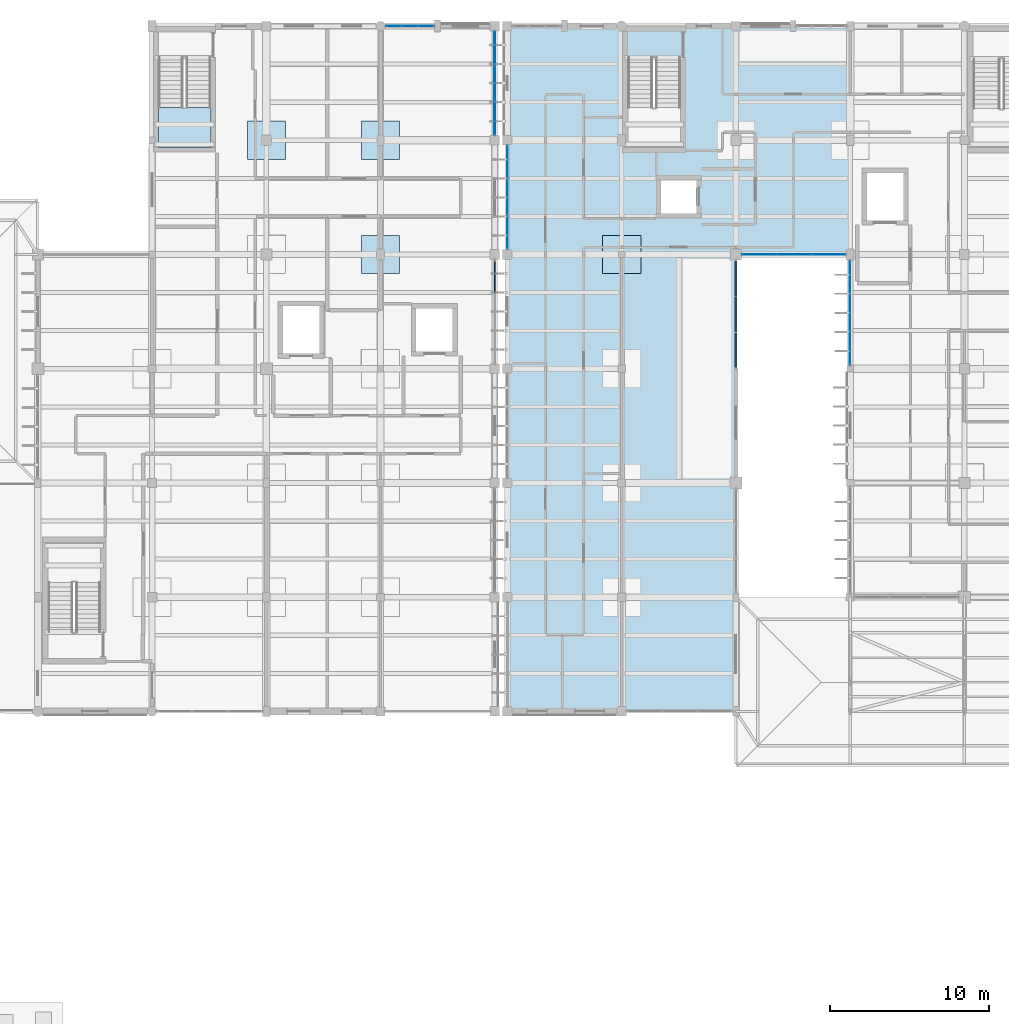
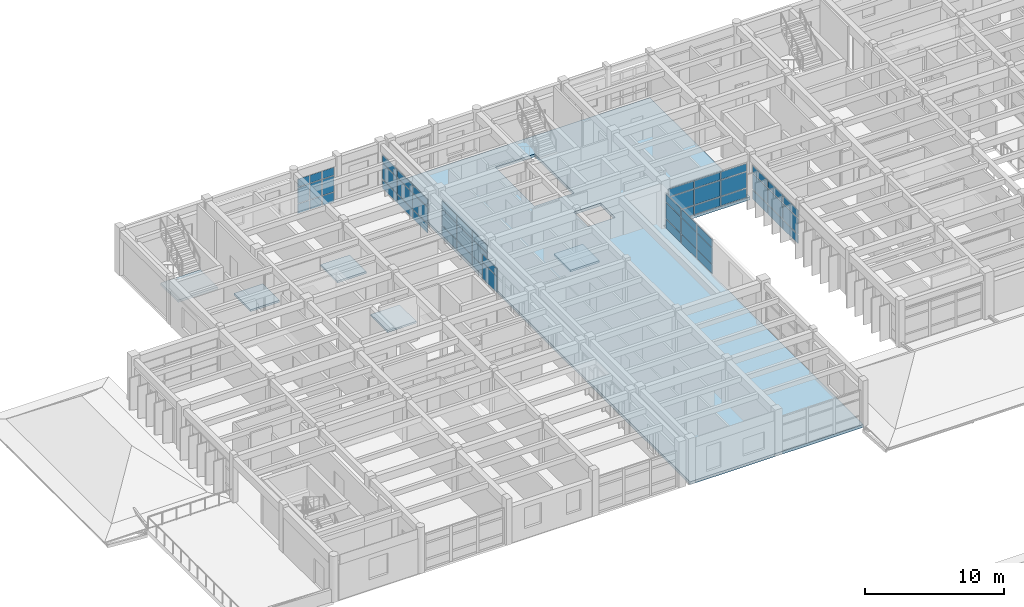
# One storey, part 51 of 100: 56 plates, 6 slabs, 8 elements without a shape of their own.
"""IFC4 building model written with IfcOpenShell, lengths in metres."""

from ifc_helpers import new_model, si_unit, direction, frame, origin, origin_2d, place, context, subcontext, project, spatial, polyline, rectangle, outline, extrude, material, layer, layer_set, type_object, element, aggregate, save


model = new_model("IFC4")

# Units and contexts
model_context = context("Model", 3, precision=1e-05, world=origin(), true_north=direction((0.0, 1.0)))
body_context = subcontext(model_context, "Body", "Model", "MODEL_VIEW")
ifc_project = project(units=[si_unit("LENGTHUNIT", "METRE"), si_unit("AREAUNIT", "SQUARE_METRE"), si_unit("VOLUMEUNIT", "CUBIC_METRE"), si_unit("PLANEANGLEUNIT", "RADIAN"), si_unit("MASSUNIT", "GRAM", prefix="KILO")], contexts=[model_context])

# Site, building, storey
site_placement = place(None, origin())
site = spatial("IfcSite", under=ifc_project, at=site_placement, CompositionType="ELEMENT")
building_placement = place(site_placement, origin())
building = spatial("IfcBuilding", under=site, at=building_placement, Name="Steenspoor Specialist Clinic", CompositionType="ELEMENT")
storey_placement = place(building_placement, frame((0.0, 0.0, 9.0)))
storey = spatial("IfcBuildingStorey", under=building, at=storey_placement, Name="L02", CompositionType="ELEMENT", Elevation=9.0)

# Curtain wall, plates
ifc_material_1 = material(Name="Thermally broken aluminium and low-emissivity glass", Category="aluminium")
curtain_wall_type_1 = type_object("IfcCurtainWallType", Name="CW-HALL-480X820", PredefinedType="USERDEFINED", material=ifc_material_1)
curtain_wall_1_placement = place(storey_placement, origin())
curtain_wall_1 = element("IfcCurtainWall", 1, at=curtain_wall_1_placement, inside=storey, type_object=curtain_wall_type_1, Name="Unitised Curtain Wall CW-V4-L02-099", ObjectType="UNITISED GLAZING", PredefinedType="USERDEFINED")
ifc_material_2 = material(Name="Double low-emissivity insulated glass", Category="glass")
ifc_layer_1 = layer(ifc_material_2, 0.035888671875)
ifc_layer_set_1 = layer_set([ifc_layer_1], Name="Double low-emissivity insulated glass")
plate_type_1 = type_object("IfcPlateType", Name="CW-PAN-GL36", PredefinedType="CURTAIN_PANEL", material=ifc_layer_set_1)
plate_1_placement = place(storey_placement, frame((74.0, 88.074462890625, 0.08984375), z_axis=(0.0, 0.0, 1.0), x_axis=(0.0, 1.0, 0.0)))
plate_1 = element("IfcPlate", 2, at=plate_1_placement, type_object=plate_type_1, Name="CW-03 panel 1.1", PredefinedType="CURTAIN_PANEL", context=body_context, shape_type="SweptSolid", body=[
    extrude(rectangle(XDim=2.119140625, YDim=0.035888671875, at=origin_2d()), origin(), (0.0, 0.0, 1.0), 0.764892578125),
])
plate_2_placement = place(storey_placement, frame((74.0, 88.074462890625, 0.94482421875), z_axis=(0.0, 0.0, 1.0), x_axis=(0.0, 1.0, 0.0)))
plate_2 = element("IfcPlate", 3, at=plate_2_placement, type_object=plate_type_1, Name="CW-03 panel 1.2", PredefinedType="CURTAIN_PANEL", context=body_context, shape_type="SweptSolid", body=[
    extrude(rectangle(XDim=2.119140625, YDim=0.035888671875, at=origin_2d()), origin(), (0.0, 0.0, 1.0), 1.360107421875),
])
plate_3_placement = place(storey_placement, frame((74.0, 88.074462890625, 2.39501953125), z_axis=(0.0, 0.0, 1.0), x_axis=(0.0, 1.0, 0.0)))
plate_3 = element("IfcPlate", 4, at=plate_3_placement, type_object=plate_type_1, Name="CW-03 panel 1.3", PredefinedType="CURTAIN_PANEL", context=body_context, shape_type="SweptSolid", body=[
    extrude(rectangle(XDim=2.119140625, YDim=0.035888671875, at=origin_2d()), origin(), (0.0, 0.0, 1.0), 0.64501953125),
])
plate_4_placement = place(storey_placement, frame((74.0, 90.27490234375, 0.08984375), z_axis=(0.0, 0.0, 1.0), x_axis=(0.0, 1.0, 0.0)))
plate_4 = element("IfcPlate", 5, at=plate_4_placement, type_object=plate_type_1, Name="CW-03 panel 2.1", PredefinedType="CURTAIN_PANEL", context=body_context, shape_type="SweptSolid", body=[
    extrude(rectangle(XDim=2.151611328125, YDim=0.035888671875, at=origin_2d()), origin(), (0.0, 0.0, 1.0), 0.764892578125),
])
plate_5_placement = place(storey_placement, frame((74.0, 90.27490234375, 0.94482421875), z_axis=(0.0, 0.0, 1.0), x_axis=(0.0, 1.0, 0.0)))
plate_5 = element("IfcPlate", 6, at=plate_5_placement, type_object=plate_type_1, Name="CW-03 panel 2.2", PredefinedType="CURTAIN_PANEL", context=body_context, shape_type="SweptSolid", body=[
    extrude(rectangle(XDim=2.151611328125, YDim=0.035888671875, at=origin_2d()), origin(), (0.0, 0.0, 1.0), 1.360107421875),
])
plate_6_placement = place(storey_placement, frame((74.0, 90.27490234375, 2.39501953125), z_axis=(0.0, 0.0, 1.0), x_axis=(0.0, 1.0, 0.0)))
plate_6 = element("IfcPlate", 7, at=plate_6_placement, type_object=plate_type_1, Name="CW-03 panel 2.3", PredefinedType="CURTAIN_PANEL", context=body_context, shape_type="SweptSolid", body=[
    extrude(rectangle(XDim=2.151611328125, YDim=0.035888671875, at=origin_2d()), origin(), (0.0, 0.0, 1.0), 0.64501953125),
])
plate_7_placement = place(storey_placement, frame((74.0, 92.475341796875, 0.08984375), z_axis=(0.0, 0.0, 1.0), x_axis=(0.0, 1.0, 0.0)))
plate_7 = element("IfcPlate", 8, at=plate_7_placement, type_object=plate_type_1, Name="CW-03 panel 3.1", PredefinedType="CURTAIN_PANEL", context=body_context, shape_type="SweptSolid", body=[
    extrude(rectangle(XDim=2.119140625, YDim=0.035888671875, at=origin_2d()), origin(), (0.0, 0.0, 1.0), 0.764892578125),
])
plate_8_placement = place(storey_placement, frame((74.0, 92.475341796875, 0.94482421875), z_axis=(0.0, 0.0, 1.0), x_axis=(0.0, 1.0, 0.0)))
plate_8 = element("IfcPlate", 9, at=plate_8_placement, type_object=plate_type_1, Name="CW-03 panel 3.2", PredefinedType="CURTAIN_PANEL", context=body_context, shape_type="SweptSolid", body=[
    extrude(rectangle(XDim=2.119140625, YDim=0.035888671875, at=origin_2d()), origin(), (0.0, 0.0, 1.0), 1.360107421875),
])
plate_9_placement = place(storey_placement, frame((74.0, 92.475341796875, 2.39501953125), z_axis=(0.0, 0.0, 1.0), x_axis=(0.0, 1.0, 0.0)))
plate_9 = element("IfcPlate", 10, at=plate_9_placement, type_object=plate_type_1, Name="CW-03 panel 3.3", PredefinedType="CURTAIN_PANEL", context=body_context, shape_type="SweptSolid", body=[
    extrude(rectangle(XDim=2.119140625, YDim=0.035888671875, at=origin_2d()), origin(), (0.0, 0.0, 1.0), 0.64501953125),
])
aggregate(curtain_wall_1, [plate_1, plate_2, plate_3, plate_4, plate_5, plate_6, plate_7, plate_8, plate_9])

curtain_wall_type_2 = type_object("IfcCurtainWallType", Name="CW-TYP-660X355", PredefinedType="USERDEFINED", material=ifc_material_1)
curtain_wall_2_placement = place(storey_placement, origin())
curtain_wall_2 = element("IfcCurtainWall", 11, at=curtain_wall_2_placement, inside=storey, type_object=curtain_wall_type_2, Name="Unitised Curtain Wall CW-V5-L02-153", ObjectType="UNITISED GLAZING", PredefinedType="USERDEFINED")
plate_10_placement = place(storey_placement, frame((45.234619140625, 108.35009765625, 0.06005859375), z_axis=(0.0, 0.0, 1.0), x_axis=(1.0, 0.0, 0.0)))
plate_10 = element("IfcPlate", 12, at=plate_10_placement, type_object=plate_type_1, Name="CW-09 panel 1.1", PredefinedType="CURTAIN_PANEL", context=body_context, shape_type="SweptSolid", body=[
    extrude(rectangle(XDim=0.939208984375, YDim=0.035888671875, at=origin_2d()), origin(), (0.0, 0.0, 1.0), 0.81005859375),
])
plate_11_placement = place(storey_placement, frame((45.234619140625, 108.35009765625, 0.93017578125), z_axis=(0.0, 0.0, 1.0), x_axis=(1.0, 0.0, 0.0)))
plate_11 = element("IfcPlate", 13, at=plate_11_placement, type_object=plate_type_1, Name="CW-09 panel 1.2", PredefinedType="CURTAIN_PANEL", context=body_context, shape_type="SweptSolid", body=[
    extrude(rectangle(XDim=0.939208984375, YDim=0.035888671875, at=origin_2d()), origin(), (0.0, 0.0, 1.0), 1.389892578125),
])
plate_12_placement = place(storey_placement, frame((45.234619140625, 108.35009765625, 2.380126953125), z_axis=(0.0, 0.0, 1.0), x_axis=(1.0, 0.0, 0.0)))
plate_12 = element("IfcPlate", 14, at=plate_12_placement, type_object=plate_type_1, Name="CW-09 panel 1.3", PredefinedType="CURTAIN_PANEL", context=body_context, shape_type="SweptSolid", body=[
    extrude(rectangle(XDim=0.939208984375, YDim=0.035888671875, at=origin_2d()), origin(), (0.0, 0.0, 1.0), 0.68994140625),
])
plate_13_placement = place(storey_placement, frame((46.2548828125, 108.35009765625, 0.06005859375), z_axis=(0.0, 0.0, 1.0), x_axis=(1.0, 0.0, 0.0)))
plate_13 = element("IfcPlate", 15, at=plate_13_placement, type_object=plate_type_1, Name="CW-09 panel 2.1", PredefinedType="CURTAIN_PANEL", context=body_context, shape_type="SweptSolid", body=[
    extrude(rectangle(XDim=0.9716796875, YDim=0.035888671875, at=origin_2d()), origin(), (0.0, 0.0, 1.0), 0.81005859375),
])
plate_14_placement = place(storey_placement, frame((46.2548828125, 108.35009765625, 0.93017578125), z_axis=(0.0, 0.0, 1.0), x_axis=(1.0, 0.0, 0.0)))
plate_14 = element("IfcPlate", 16, at=plate_14_placement, type_object=plate_type_1, Name="CW-09 panel 2.2", PredefinedType="CURTAIN_PANEL", context=body_context, shape_type="SweptSolid", body=[
    extrude(rectangle(XDim=0.9716796875, YDim=0.035888671875, at=origin_2d()), origin(), (0.0, 0.0, 1.0), 1.389892578125),
])
plate_15_placement = place(storey_placement, frame((46.2548828125, 108.35009765625, 2.380126953125), z_axis=(0.0, 0.0, 1.0), x_axis=(1.0, 0.0, 0.0)))
plate_15 = element("IfcPlate", 17, at=plate_15_placement, type_object=plate_type_1, Name="CW-09 panel 2.3", PredefinedType="CURTAIN_PANEL", context=body_context, shape_type="SweptSolid", body=[
    extrude(rectangle(XDim=0.9716796875, YDim=0.035888671875, at=origin_2d()), origin(), (0.0, 0.0, 1.0), 0.68994140625),
])
plate_16_placement = place(storey_placement, frame((47.275390625, 108.35009765625, 0.06005859375), z_axis=(0.0, 0.0, 1.0), x_axis=(1.0, 0.0, 0.0)))
plate_16 = element("IfcPlate", 18, at=plate_16_placement, type_object=plate_type_1, Name="CW-09 panel 3.1", PredefinedType="CURTAIN_PANEL", context=body_context, shape_type="SweptSolid", body=[
    extrude(rectangle(XDim=0.939208984375, YDim=0.035888671875, at=origin_2d()), origin(), (0.0, 0.0, 1.0), 0.81005859375),
])
plate_17_placement = place(storey_placement, frame((47.275390625, 108.35009765625, 0.93017578125), z_axis=(0.0, 0.0, 1.0), x_axis=(1.0, 0.0, 0.0)))
plate_17 = element("IfcPlate", 19, at=plate_17_placement, type_object=plate_type_1, Name="CW-09 panel 3.2", PredefinedType="CURTAIN_PANEL", context=body_context, shape_type="SweptSolid", body=[
    extrude(rectangle(XDim=0.939208984375, YDim=0.035888671875, at=origin_2d()), origin(), (0.0, 0.0, 1.0), 1.389892578125),
])
plate_18_placement = place(storey_placement, frame((47.275390625, 108.35009765625, 2.380126953125), z_axis=(0.0, 0.0, 1.0), x_axis=(1.0, 0.0, 0.0)))
plate_18 = element("IfcPlate", 20, at=plate_18_placement, type_object=plate_type_1, Name="CW-09 panel 3.3", PredefinedType="CURTAIN_PANEL", context=body_context, shape_type="SweptSolid", body=[
    extrude(rectangle(XDim=0.939208984375, YDim=0.035888671875, at=origin_2d()), origin(), (0.0, 0.0, 1.0), 0.68994140625),
])
aggregate(curtain_wall_2, [plate_10, plate_11, plate_12, plate_13, plate_14, plate_15, plate_16, plate_17, plate_18])

curtain_wall_type_3 = type_object("IfcCurtainWallType", Name="CW-TYP-650X355", PredefinedType="USERDEFINED", material=ifc_material_1)
curtain_wall_3_placement = place(storey_placement, origin())
curtain_wall_3 = element("IfcCurtainWall", 21, at=curtain_wall_3_placement, inside=storey, type_object=curtain_wall_type_3, Name="Unitised Curtain Wall CW-V4-L02-082", ObjectType="UNITISED GLAZING", PredefinedType="USERDEFINED")
ifc_material_3 = material(Name="Triple acoustic laminated low-emissivity glass", Category="glass")
ifc_layer_2 = layer(ifc_material_3, 0.048095703125)
ifc_layer_set_2 = layer_set([ifc_layer_2], Name="Triple acoustic laminated low-emissivity glass")
plate_type_2 = type_object("IfcPlateType", Name="CW-PAN-GL48", PredefinedType="CURTAIN_PANEL", material=ifc_layer_set_2)
plate_19_placement = place(storey_placement, frame((52.39990234375, 95.364990234375, 0.06494140625), z_axis=(0.0, 0.0, 1.0), x_axis=(0.0, 1.0, 0.0)))
plate_19 = element("IfcPlate", 22, at=plate_19_placement, type_object=plate_type_2, Name="CW-10 panel 1.1", PredefinedType="CURTAIN_PANEL", context=body_context, shape_type="SweptSolid", body=[
    extrude(rectangle(XDim=2.110107421875, YDim=0.048095703125, at=origin_2d()), origin(), (0.0, 0.0, 1.0), 0.802490234375),
])
plate_20_placement = place(storey_placement, frame((52.39990234375, 95.364990234375, 0.9326171875), z_axis=(0.0, 0.0, 1.0), x_axis=(0.0, 1.0, 0.0)))
plate_20 = element("IfcPlate", 23, at=plate_20_placement, type_object=plate_type_2, Name="CW-10 panel 1.2", PredefinedType="CURTAIN_PANEL", context=body_context, shape_type="SweptSolid", body=[
    extrude(rectangle(XDim=2.110107421875, YDim=0.048095703125, at=origin_2d()), origin(), (0.0, 0.0, 1.0), 1.385009765625),
])
plate_21_placement = place(storey_placement, frame((52.39990234375, 95.364990234375, 2.38232421875), z_axis=(0.0, 0.0, 1.0), x_axis=(0.0, 1.0, 0.0)))
plate_21 = element("IfcPlate", 24, at=plate_21_placement, type_object=plate_type_2, Name="CW-10 panel 1.3", PredefinedType="CURTAIN_PANEL", context=body_context, shape_type="SweptSolid", body=[
    extrude(rectangle(XDim=2.110107421875, YDim=0.048095703125, at=origin_2d()), origin(), (0.0, 0.0, 1.0), 0.6826171875),
])
plate_22_placement = place(storey_placement, frame((52.39990234375, 97.550048828125, 0.06494140625), z_axis=(0.0, 0.0, 1.0), x_axis=(0.0, 1.0, 0.0)))
plate_22 = element("IfcPlate", 25, at=plate_22_placement, type_object=plate_type_2, Name="CW-10 panel 2.1", PredefinedType="CURTAIN_PANEL", context=body_context, shape_type="SweptSolid", body=[
    extrude(rectangle(XDim=2.139892578125, YDim=0.048095703125, at=origin_2d()), origin(), (0.0, 0.0, 1.0), 0.802490234375),
])
plate_23_placement = place(storey_placement, frame((52.39990234375, 97.550048828125, 0.9326171875), z_axis=(0.0, 0.0, 1.0), x_axis=(0.0, 1.0, 0.0)))
plate_23 = element("IfcPlate", 26, at=plate_23_placement, type_object=plate_type_2, Name="CW-10 panel 2.2", PredefinedType="CURTAIN_PANEL", context=body_context, shape_type="SweptSolid", body=[
    extrude(rectangle(XDim=2.139892578125, YDim=0.048095703125, at=origin_2d()), origin(), (0.0, 0.0, 1.0), 1.385009765625),
])
plate_24_placement = place(storey_placement, frame((52.39990234375, 97.550048828125, 2.38232421875), z_axis=(0.0, 0.0, 1.0), x_axis=(0.0, 1.0, 0.0)))
plate_24 = element("IfcPlate", 27, at=plate_24_placement, type_object=plate_type_2, Name="CW-10 panel 2.3", PredefinedType="CURTAIN_PANEL", context=body_context, shape_type="SweptSolid", body=[
    extrude(rectangle(XDim=2.139892578125, YDim=0.048095703125, at=origin_2d()), origin(), (0.0, 0.0, 1.0), 0.6826171875),
])
plate_25_placement = place(storey_placement, frame((52.39990234375, 99.735107421875, 0.06494140625), z_axis=(0.0, 0.0, 1.0), x_axis=(0.0, 1.0, 0.0)))
plate_25 = element("IfcPlate", 28, at=plate_25_placement, type_object=plate_type_2, Name="CW-10 panel 3.1", PredefinedType="CURTAIN_PANEL", context=body_context, shape_type="SweptSolid", body=[
    extrude(rectangle(XDim=2.110107421875, YDim=0.048095703125, at=origin_2d()), origin(), (0.0, 0.0, 1.0), 0.802490234375),
])
plate_26_placement = place(storey_placement, frame((52.39990234375, 99.735107421875, 0.9326171875), z_axis=(0.0, 0.0, 1.0), x_axis=(0.0, 1.0, 0.0)))
plate_26 = element("IfcPlate", 29, at=plate_26_placement, type_object=plate_type_2, Name="CW-10 panel 3.2", PredefinedType="CURTAIN_PANEL", context=body_context, shape_type="SweptSolid", body=[
    extrude(rectangle(XDim=2.110107421875, YDim=0.048095703125, at=origin_2d()), origin(), (0.0, 0.0, 1.0), 1.385009765625),
])
plate_27_placement = place(storey_placement, frame((52.39990234375, 99.735107421875, 2.38232421875), z_axis=(0.0, 0.0, 1.0), x_axis=(0.0, 1.0, 0.0)))
plate_27 = element("IfcPlate", 30, at=plate_27_placement, type_object=plate_type_2, Name="CW-10 panel 3.3", PredefinedType="CURTAIN_PANEL", context=body_context, shape_type="SweptSolid", body=[
    extrude(rectangle(XDim=2.110107421875, YDim=0.048095703125, at=origin_2d()), origin(), (0.0, 0.0, 1.0), 0.6826171875),
])
aggregate(curtain_wall_3, [plate_19, plate_20, plate_21, plate_22, plate_23, plate_24, plate_25, plate_26, plate_27])

curtain_wall_type_4 = type_object("IfcCurtainWallType", Name="CW-L00-660X415", PredefinedType="USERDEFINED", material=ifc_material_1)
curtain_wall_4_placement = place(storey_placement, origin())
curtain_wall_4 = element("IfcCurtainWall", 31, at=curtain_wall_4_placement, inside=storey, type_object=curtain_wall_type_4, Name="Unitised Curtain Wall CW-V4-L02-100", ObjectType="UNITISED GLAZING", PredefinedType="USERDEFINED")
plate_28_placement = place(storey_placement, frame((72.635009765625, 93.949951171875, 0.080078125), z_axis=(0.0, 0.0, 1.0), x_axis=(-1.0, 0.0, 0.0)))
plate_28 = element("IfcPlate", 32, at=plate_28_placement, type_object=plate_type_2, Name="CW-04 panel 1.1", PredefinedType="CURTAIN_PANEL", context=body_context, shape_type="SweptSolid", body=[
    extrude(rectangle(XDim=2.110107421875, YDim=0.048095703125, at=origin_2d()), origin(), (0.0, 0.0, 1.0), 0.780029296875),
])
plate_29_placement = place(storey_placement, frame((72.635009765625, 93.949951171875, 0.93994140625), z_axis=(0.0, 0.0, 1.0), x_axis=(-1.0, 0.0, 0.0)))
plate_29 = element("IfcPlate", 33, at=plate_29_placement, type_object=plate_type_2, Name="CW-04 panel 1.2", PredefinedType="CURTAIN_PANEL", context=body_context, shape_type="SweptSolid", body=[
    extrude(rectangle(XDim=2.110107421875, YDim=0.048095703125, at=origin_2d()), origin(), (0.0, 0.0, 1.0), 1.3701171875),
])
plate_30_placement = place(storey_placement, frame((72.635009765625, 93.949951171875, 2.39013671875), z_axis=(0.0, 0.0, 1.0), x_axis=(-1.0, 0.0, 0.0)))
plate_30 = element("IfcPlate", 34, at=plate_30_placement, type_object=plate_type_2, Name="CW-04 panel 1.3", PredefinedType="CURTAIN_PANEL", context=body_context, shape_type="SweptSolid", body=[
    extrude(rectangle(XDim=2.110107421875, YDim=0.048095703125, at=origin_2d()), origin(), (0.0, 0.0, 1.0), 0.659912109375),
])
plate_31_placement = place(storey_placement, frame((70.449951171875, 93.949951171875, 0.080078125), z_axis=(0.0, 0.0, 1.0), x_axis=(-1.0, 0.0, 0.0)))
plate_31 = element("IfcPlate", 35, at=plate_31_placement, type_object=plate_type_2, Name="CW-04 panel 2.1", PredefinedType="CURTAIN_PANEL", context=body_context, shape_type="SweptSolid", body=[
    extrude(rectangle(XDim=2.139892578125, YDim=0.048095703125, at=origin_2d()), origin(), (0.0, 0.0, 1.0), 0.780029296875),
])
plate_32_placement = place(storey_placement, frame((70.449951171875, 93.949951171875, 0.93994140625), z_axis=(0.0, 0.0, 1.0), x_axis=(-1.0, 0.0, 0.0)))
plate_32 = element("IfcPlate", 36, at=plate_32_placement, type_object=plate_type_2, Name="CW-04 panel 2.2", PredefinedType="CURTAIN_PANEL", context=body_context, shape_type="SweptSolid", body=[
    extrude(rectangle(XDim=2.139892578125, YDim=0.048095703125, at=origin_2d()), origin(), (0.0, 0.0, 1.0), 1.3701171875),
])
plate_33_placement = place(storey_placement, frame((70.449951171875, 93.949951171875, 2.39013671875), z_axis=(0.0, 0.0, 1.0), x_axis=(-1.0, 0.0, 0.0)))
plate_33 = element("IfcPlate", 37, at=plate_33_placement, type_object=plate_type_2, Name="CW-04 panel 2.3", PredefinedType="CURTAIN_PANEL", context=body_context, shape_type="SweptSolid", body=[
    extrude(rectangle(XDim=2.139892578125, YDim=0.048095703125, at=origin_2d()), origin(), (0.0, 0.0, 1.0), 0.659912109375),
])
plate_34_placement = place(storey_placement, frame((68.264892578125, 93.949951171875, 0.080078125), z_axis=(0.0, 0.0, 1.0), x_axis=(-1.0, 0.0, 0.0)))
plate_34 = element("IfcPlate", 38, at=plate_34_placement, type_object=plate_type_2, Name="CW-04 panel 3.1", PredefinedType="CURTAIN_PANEL", context=body_context, shape_type="SweptSolid", body=[
    extrude(rectangle(XDim=2.110107421875, YDim=0.048095703125, at=origin_2d()), origin(), (0.0, 0.0, 1.0), 0.780029296875),
])
plate_35_placement = place(storey_placement, frame((68.264892578125, 93.949951171875, 0.93994140625), z_axis=(0.0, 0.0, 1.0), x_axis=(-1.0, 0.0, 0.0)))
plate_35 = element("IfcPlate", 39, at=plate_35_placement, type_object=plate_type_2, Name="CW-04 panel 3.2", PredefinedType="CURTAIN_PANEL", context=body_context, shape_type="SweptSolid", body=[
    extrude(rectangle(XDim=2.110107421875, YDim=0.048095703125, at=origin_2d()), origin(), (0.0, 0.0, 1.0), 1.3701171875),
])
plate_36_placement = place(storey_placement, frame((68.264892578125, 93.949951171875, 2.39013671875), z_axis=(0.0, 0.0, 1.0), x_axis=(-1.0, 0.0, 0.0)))
plate_36 = element("IfcPlate", 40, at=plate_36_placement, type_object=plate_type_2, Name="CW-04 panel 3.3", PredefinedType="CURTAIN_PANEL", context=body_context, shape_type="SweptSolid", body=[
    extrude(rectangle(XDim=2.110107421875, YDim=0.048095703125, at=origin_2d()), origin(), (0.0, 0.0, 1.0), 0.659912109375),
])
aggregate(curtain_wall_4, [plate_28, plate_29, plate_30, plate_31, plate_32, plate_33, plate_34, plate_35, plate_36])

curtain_wall_5_placement = place(storey_placement, origin())
curtain_wall_5 = element("IfcCurtainWall", 41, at=curtain_wall_5_placement, inside=storey, type_object=curtain_wall_type_3, Name="Unitised Curtain Wall CW-V5-L02-154", ObjectType="UNITISED GLAZING", PredefinedType="USERDEFINED")
plate_37_placement = place(storey_placement, frame((51.60009765625, 106.93505859375, 0.08984375), z_axis=(0.0, 0.0, 1.0), x_axis=(0.0, -1.0, 0.0)))
plate_37 = element("IfcPlate", 42, at=plate_37_placement, type_object=plate_type_2, Name="CW-10 panel 1.1", PredefinedType="CURTAIN_PANEL", context=body_context, shape_type="SweptSolid", body=[
    extrude(rectangle(XDim=2.110107421875, YDim=0.048095703125, at=origin_2d()), origin(), (0.0, 0.0, 1.0), 0.764892578125),
])
plate_38_placement = place(storey_placement, frame((51.60009765625, 106.93505859375, 0.94482421875), z_axis=(0.0, 0.0, 1.0), x_axis=(0.0, -1.0, 0.0)))
plate_38 = element("IfcPlate", 43, at=plate_38_placement, type_object=plate_type_2, Name="CW-10 panel 1.2", PredefinedType="CURTAIN_PANEL", context=body_context, shape_type="SweptSolid", body=[
    extrude(rectangle(XDim=2.110107421875, YDim=0.048095703125, at=origin_2d()), origin(), (0.0, 0.0, 1.0), 1.360107421875),
])
plate_39_placement = place(storey_placement, frame((51.60009765625, 106.93505859375, 2.39501953125), z_axis=(0.0, 0.0, 1.0), x_axis=(0.0, -1.0, 0.0)))
plate_39 = element("IfcPlate", 44, at=plate_39_placement, type_object=plate_type_2, Name="CW-10 panel 1.3", PredefinedType="CURTAIN_PANEL", context=body_context, shape_type="SweptSolid", body=[
    extrude(rectangle(XDim=2.110107421875, YDim=0.048095703125, at=origin_2d()), origin(), (0.0, 0.0, 1.0), 0.64501953125),
])
plate_40_placement = place(storey_placement, frame((51.60009765625, 104.75, 0.08984375), z_axis=(0.0, 0.0, 1.0), x_axis=(0.0, -1.0, 0.0)))
plate_40 = element("IfcPlate", 45, at=plate_40_placement, type_object=plate_type_2, Name="CW-10 panel 2.1", PredefinedType="CURTAIN_PANEL", context=body_context, shape_type="SweptSolid", body=[
    extrude(rectangle(XDim=2.139892578125, YDim=0.048095703125, at=origin_2d()), origin(), (0.0, 0.0, 1.0), 0.764892578125),
])
plate_41_placement = place(storey_placement, frame((51.60009765625, 104.75, 0.94482421875), z_axis=(0.0, 0.0, 1.0), x_axis=(0.0, -1.0, 0.0)))
plate_41 = element("IfcPlate", 46, at=plate_41_placement, type_object=plate_type_2, Name="CW-10 panel 2.2", PredefinedType="CURTAIN_PANEL", context=body_context, shape_type="SweptSolid", body=[
    extrude(rectangle(XDim=2.139892578125, YDim=0.048095703125, at=origin_2d()), origin(), (0.0, 0.0, 1.0), 1.360107421875),
])
plate_42_placement = place(storey_placement, frame((51.60009765625, 104.75, 2.39501953125), z_axis=(0.0, 0.0, 1.0), x_axis=(0.0, -1.0, 0.0)))
plate_42 = element("IfcPlate", 47, at=plate_42_placement, type_object=plate_type_2, Name="CW-10 panel 2.3", PredefinedType="CURTAIN_PANEL", context=body_context, shape_type="SweptSolid", body=[
    extrude(rectangle(XDim=2.139892578125, YDim=0.048095703125, at=origin_2d()), origin(), (0.0, 0.0, 1.0), 0.64501953125),
])
plate_43_placement = place(storey_placement, frame((51.60009765625, 102.56494140625, 0.08984375), z_axis=(0.0, 0.0, 1.0), x_axis=(0.0, -1.0, 0.0)))
plate_43 = element("IfcPlate", 48, at=plate_43_placement, type_object=plate_type_2, Name="CW-10 panel 3.1", PredefinedType="CURTAIN_PANEL", context=body_context, shape_type="SweptSolid", body=[
    extrude(rectangle(XDim=2.110107421875, YDim=0.048095703125, at=origin_2d()), origin(), (0.0, 0.0, 1.0), 0.764892578125),
])
plate_44_placement = place(storey_placement, frame((51.60009765625, 102.56494140625, 0.94482421875), z_axis=(0.0, 0.0, 1.0), x_axis=(0.0, -1.0, 0.0)))
plate_44 = element("IfcPlate", 49, at=plate_44_placement, type_object=plate_type_2, Name="CW-10 panel 3.2", PredefinedType="CURTAIN_PANEL", context=body_context, shape_type="SweptSolid", body=[
    extrude(rectangle(XDim=2.110107421875, YDim=0.048095703125, at=origin_2d()), origin(), (0.0, 0.0, 1.0), 1.360107421875),
])
plate_45_placement = place(storey_placement, frame((51.60009765625, 102.56494140625, 2.39501953125), z_axis=(0.0, 0.0, 1.0), x_axis=(0.0, -1.0, 0.0)))
plate_45 = element("IfcPlate", 50, at=plate_45_placement, type_object=plate_type_2, Name="CW-10 panel 3.3", PredefinedType="CURTAIN_PANEL", context=body_context, shape_type="SweptSolid", body=[
    extrude(rectangle(XDim=2.110107421875, YDim=0.048095703125, at=origin_2d()), origin(), (0.0, 0.0, 1.0), 0.64501953125),
])
aggregate(curtain_wall_5, [plate_37, plate_38, plate_39, plate_40, plate_41, plate_42, plate_43, plate_44, plate_45])

curtain_wall_type_5 = type_object("IfcCurtainWallType", Name="CW-L00-650X415", PredefinedType="USERDEFINED", material=ifc_material_1)
curtain_wall_6_placement = place(storey_placement, origin())
curtain_wall_6 = element("IfcCurtainWall", 51, at=curtain_wall_6_placement, inside=storey, type_object=curtain_wall_type_5, Name="Unitised Curtain Wall CW-V4-L02-101", ObjectType="UNITISED GLAZING", PredefinedType="USERDEFINED")
ifc_material_4 = material(Name="Insulated glazed ceramic spandrel panel", Category="glass")
ifc_layer_3 = layer(ifc_material_4, 0.074951171875)
ifc_layer_set_3 = layer_set([ifc_layer_3], Name="Insulated glazed ceramic spandrel panel")
plate_type_3 = type_object("IfcPlateType", Name="CW-PAN-SP75", PredefinedType="CURTAIN_PANEL", material=ifc_layer_set_3)
plate_46_placement = place(storey_placement, frame((66.800048828125, 92.43798828125, 0.070068359375), z_axis=(0.0, 0.0, 1.0), x_axis=(0.0, -1.0, 0.0)))
plate_46 = element("IfcPlate", 52, at=plate_46_placement, type_object=plate_type_3, Name="CW-05 panel 1.1", PredefinedType="CURTAIN_PANEL", context=body_context, shape_type="SweptSolid", body=[
    extrude(rectangle(XDim=2.144287109375, YDim=0.074951171875, at=origin_2d()), origin(), (0.0, 0.0, 1.0), 0.794921875),
])
plate_47_placement = place(storey_placement, frame((66.800048828125, 92.43798828125, 0.93505859375), z_axis=(0.0, 0.0, 1.0), x_axis=(0.0, -1.0, 0.0)))
plate_47 = element("IfcPlate", 53, at=plate_47_placement, type_object=plate_type_3, Name="CW-05 panel 1.2", PredefinedType="CURTAIN_PANEL", context=body_context, shape_type="SweptSolid", body=[
    extrude(rectangle(XDim=2.144287109375, YDim=0.074951171875, at=origin_2d()), origin(), (0.0, 0.0, 1.0), 1.3798828125),
])
plate_48_placement = place(storey_placement, frame((66.800048828125, 92.43798828125, 2.384765625), z_axis=(0.0, 0.0, 1.0), x_axis=(0.0, -1.0, 0.0)))
plate_48 = element("IfcPlate", 54, at=plate_48_placement, type_object=plate_type_3, Name="CW-05 panel 1.3", PredefinedType="CURTAIN_PANEL", context=body_context, shape_type="SweptSolid", body=[
    extrude(rectangle(XDim=2.144287109375, YDim=0.074951171875, at=origin_2d()), origin(), (0.0, 0.0, 1.0), 0.675048828125),
])
plate_49_placement = place(storey_placement, frame((66.800048828125, 90.18115234375, 0.070068359375), z_axis=(0.0, 0.0, 1.0), x_axis=(0.0, -1.0, 0.0)))
plate_49 = element("IfcPlate", 55, at=plate_49_placement, type_object=plate_type_3, Name="CW-05 panel 2.1", PredefinedType="CURTAIN_PANEL", context=body_context, shape_type="SweptSolid", body=[
    extrude(rectangle(XDim=2.189208984375, YDim=0.074951171875, at=origin_2d()), origin(), (0.0, 0.0, 1.0), 0.794921875),
])
plate_50_placement = place(storey_placement, frame((66.800048828125, 90.18115234375, 0.93505859375), z_axis=(0.0, 0.0, 1.0), x_axis=(0.0, -1.0, 0.0)))
plate_50 = element("IfcPlate", 56, at=plate_50_placement, type_object=plate_type_3, Name="CW-05 panel 2.2", PredefinedType="CURTAIN_PANEL", context=body_context, shape_type="SweptSolid", body=[
    extrude(rectangle(XDim=2.189208984375, YDim=0.074951171875, at=origin_2d()), origin(), (0.0, 0.0, 1.0), 1.3798828125),
])
plate_51_placement = place(storey_placement, frame((66.800048828125, 90.18115234375, 2.384765625), z_axis=(0.0, 0.0, 1.0), x_axis=(0.0, -1.0, 0.0)))
plate_51 = element("IfcPlate", 57, at=plate_51_placement, type_object=plate_type_3, Name="CW-05 panel 2.3", PredefinedType="CURTAIN_PANEL", context=body_context, shape_type="SweptSolid", body=[
    extrude(rectangle(XDim=2.189208984375, YDim=0.074951171875, at=origin_2d()), origin(), (0.0, 0.0, 1.0), 0.675048828125),
])
plate_52_placement = place(storey_placement, frame((66.800048828125, 87.924560546875, 0.070068359375), z_axis=(0.0, 0.0, 1.0), x_axis=(0.0, -1.0, 0.0)))
plate_52 = element("IfcPlate", 58, at=plate_52_placement, type_object=plate_type_3, Name="CW-05 panel 3.1", PredefinedType="CURTAIN_PANEL", context=body_context, shape_type="SweptSolid", body=[
    extrude(rectangle(XDim=2.144287109375, YDim=0.074951171875, at=origin_2d()), origin(), (0.0, 0.0, 1.0), 0.794921875),
])
plate_53_placement = place(storey_placement, frame((66.800048828125, 87.924560546875, 0.93505859375), z_axis=(0.0, 0.0, 1.0), x_axis=(0.0, -1.0, 0.0)))
plate_53 = element("IfcPlate", 59, at=plate_53_placement, type_object=plate_type_3, Name="CW-05 panel 3.2", PredefinedType="CURTAIN_PANEL", context=body_context, shape_type="SweptSolid", body=[
    extrude(rectangle(XDim=2.144287109375, YDim=0.074951171875, at=origin_2d()), origin(), (0.0, 0.0, 1.0), 1.3798828125),
])
plate_54_placement = place(storey_placement, frame((66.800048828125, 87.924560546875, 2.384765625), z_axis=(0.0, 0.0, 1.0), x_axis=(0.0, -1.0, 0.0)))
plate_54 = element("IfcPlate", 60, at=plate_54_placement, type_object=plate_type_3, Name="CW-05 panel 3.3", PredefinedType="CURTAIN_PANEL", context=body_context, shape_type="SweptSolid", body=[
    extrude(rectangle(XDim=2.144287109375, YDim=0.074951171875, at=origin_2d()), origin(), (0.0, 0.0, 1.0), 0.675048828125),
])
aggregate(curtain_wall_6, [plate_46, plate_47, plate_48, plate_49, plate_50, plate_51, plate_52, plate_53, plate_54])

curtain_wall_type_6 = type_object("IfcCurtainWallType", Name="CW-TYP-540X355", PredefinedType="USERDEFINED", material=ifc_material_1)
curtain_wall_7_placement = place(storey_placement, origin())
curtain_wall_7 = element("IfcCurtainWall", 61, at=curtain_wall_7_placement, inside=storey, type_object=curtain_wall_type_6, Name="Unitised Curtain Wall CW-V5-L02-155", ObjectType="UNITISED GLAZING", PredefinedType="USERDEFINED")
plate_55_placement = place(storey_placement, frame((51.60009765625, 92.527587890625, 0.93994140625), z_axis=(0.0, 0.0, 1.0), x_axis=(0.0, -1.0, 0.0)))
plate_55 = element("IfcPlate", 62, at=plate_55_placement, type_object=plate_type_3, Name="CW-11 panel 1.2", PredefinedType="CURTAIN_PANEL", context=body_context, shape_type="SweptSolid", body=[
    extrude(rectangle(XDim=2.06494140625, YDim=0.074951171875, at=origin_2d()), origin(), (0.0, 0.0, 1.0), 1.3701171875),
])
plate_56_placement = place(storey_placement, frame((51.60009765625, 92.527587890625, 2.39013671875), z_axis=(0.0, 0.0, 1.0), x_axis=(0.0, -1.0, 0.0)))
plate_56 = element("IfcPlate", 63, at=plate_56_placement, type_object=plate_type_3, Name="CW-11 panel 1.3", PredefinedType="CURTAIN_PANEL", context=body_context, shape_type="SweptSolid", body=[
    extrude(rectangle(XDim=2.06494140625, YDim=0.074951171875, at=origin_2d()), origin(), (0.0, 0.0, 1.0), 0.659912109375),
])
aggregate(curtain_wall_7, [plate_55, plate_56])

# Slabs
ifc_material_5 = material(Name="Concrete C35/45", Category="concrete")
ifc_layer_4 = layer(ifc_material_5, 0.169921875)
ifc_layer_set_4 = layer_set([ifc_layer_4], Name="Concrete C35/45")
slab_type_1 = type_object("IfcSlabType", Name="SL-DROP-170", PredefinedType="USERDEFINED", material=ifc_layer_set_4)
slab_1_placement = place(storey_placement, frame((0.0, 0.0, -0.419921875)))
element("IfcSlab", 64, at=slab_1_placement, inside=storey, type_object=slab_type_1, Name="Column Drop Panel DROP-V4-L02-039", ObjectType="DROP PANEL", PredefinedType="USERDEFINED", context=body_context, shape_type="SweptSolid", body=[
    extrude(outline(polyline([(60.800048828125, 92.75), (60.800048828125, 95.14990234375), (58.39990234375, 95.14990234375), (58.39990234375, 92.75), (60.800048828125, 92.75)])), origin(), (0.0, 0.0, 1.0), 0.169921875),
])
slab_2_placement = place(storey_placement, frame((0.0, 0.0, -0.419921875)))
element("IfcSlab", 65, at=slab_2_placement, inside=storey, type_object=slab_type_1, Name="Column Drop Panel DROP-V5-L02-113", ObjectType="DROP PANEL", PredefinedType="USERDEFINED", context=body_context, shape_type="SweptSolid", body=[
    extrude(outline(polyline([(38.39990234375, 99.949951171875), (38.39990234375, 102.35009765625), (36.0, 102.35009765625), (36.0, 99.949951171875), (38.39990234375, 99.949951171875)])), origin(), (0.0, 0.0, 1.0), 0.169921875),
])
slab_3_placement = place(storey_placement, frame((0.0, 0.0, -0.419921875)))
element("IfcSlab", 66, at=slab_3_placement, inside=storey, type_object=slab_type_1, Name="Column Drop Panel DROP-V5-L02-117", ObjectType="DROP PANEL", PredefinedType="USERDEFINED", context=body_context, shape_type="SweptSolid", body=[
    extrude(outline(polyline([(45.60009765625, 92.75), (45.60009765625, 95.14990234375), (43.199951171875, 95.14990234375), (43.199951171875, 92.75), (45.60009765625, 92.75)])), origin(), (0.0, 0.0, 1.0), 0.169921875),
])
slab_4_placement = place(storey_placement, frame((0.0, 0.0, -0.419921875)))
element("IfcSlab", 67, at=slab_4_placement, inside=storey, type_object=slab_type_1, Name="Column Drop Panel DROP-V5-L02-118", ObjectType="DROP PANEL", PredefinedType="USERDEFINED", context=body_context, shape_type="SweptSolid", body=[
    extrude(outline(polyline([(45.60009765625, 99.949951171875), (45.60009765625, 102.35009765625), (43.199951171875, 102.35009765625), (43.199951171875, 99.949951171875), (45.60009765625, 99.949951171875)])), origin(), (0.0, 0.0, 1.0), 0.169921875),
])
ifc_layer_5 = layer(ifc_material_5, 0.25)
ifc_layer_set_5 = layer_set([ifc_layer_5], Name="Concrete C35/45")
slab_type_2 = type_object("IfcSlabType", Name="SL-FLAT-250", PredefinedType="FLOOR", material=ifc_layer_set_5)
slab_5_placement = place(storey_placement, frame((0.0, 0.0, -0.25)))
element("IfcSlab", 68, at=slab_5_placement, inside=storey, type_object=slab_type_2, Name="Structural Slab SLAB-V4-L02-019", PredefinedType="FLOOR", context=body_context, shape_type="SweptSolid", body=[
    extrude(outline(polyline([(74.0, 108.35009765625), (74.0, 93.949951171875), (66.800048828125, 93.949951171875), (66.800048828125, 65.14990234375), (52.39990234375, 65.14990234375), (52.39990234375, 93.949951171875), (52.39990234375, 108.35009765625), (74.0, 108.35009765625)]), holes=[polyline([(62.074951171875, 98.64990234375), (62.074951171875, 96.550048828125), (64.324951171875, 96.550048828125), (64.324951171875, 98.64990234375), (62.074951171875, 98.64990234375)]), polyline([(60.0, 106.35009765625), (60.0, 100.699951171875), (63.300048828125, 100.699951171875), (63.300048828125, 106.35009765625), (60.0, 106.35009765625)])]), origin(), (0.0, 0.0, 1.0), 0.25),
])

# Stair, slab
stair_type = type_object("IfcStairType", Name="ST-CORE-TYP", PredefinedType="HALF_TURN_STAIR", material=ifc_material_5)
stair_placement = place(storey_placement, origin())
stair = element("IfcStair", 69, at=stair_placement, inside=storey, type_object=stair_type, Name="L02 Enclosed Exit Stair ST-V5A", PredefinedType="HALF_TURN_STAIR")
ifc_layer_6 = layer(ifc_material_5, 0.199951171875)
ifc_layer_set_6 = layer_set([ifc_layer_6], Name="Concrete C35/45")
slab_type_3 = type_object("IfcSlabType", Name="SL-LAND-200", PredefinedType="LANDING", material=ifc_layer_set_6)
slab_6_placement = place(storey_placement, frame((0.0, 0.0, 1.89990234375)))
slab_6 = element("IfcSlab", 70, at=slab_6_placement, type_object=slab_type_3, Name="ST-V5A landing 1", PredefinedType="LANDING", context=body_context, shape_type="SweptSolid", body=[
    extrude(outline(polyline([(30.39990234375, 103.215087890625), (30.39990234375, 100.699951171875), (33.699951171875, 100.699951171875), (33.699951171875, 103.215087890625), (30.39990234375, 103.215087890625)])), origin(), (0.0, 0.0, 1.0), 0.2001953125),
])
aggregate(stair, [slab_6])

save(model, "model.ifc")
